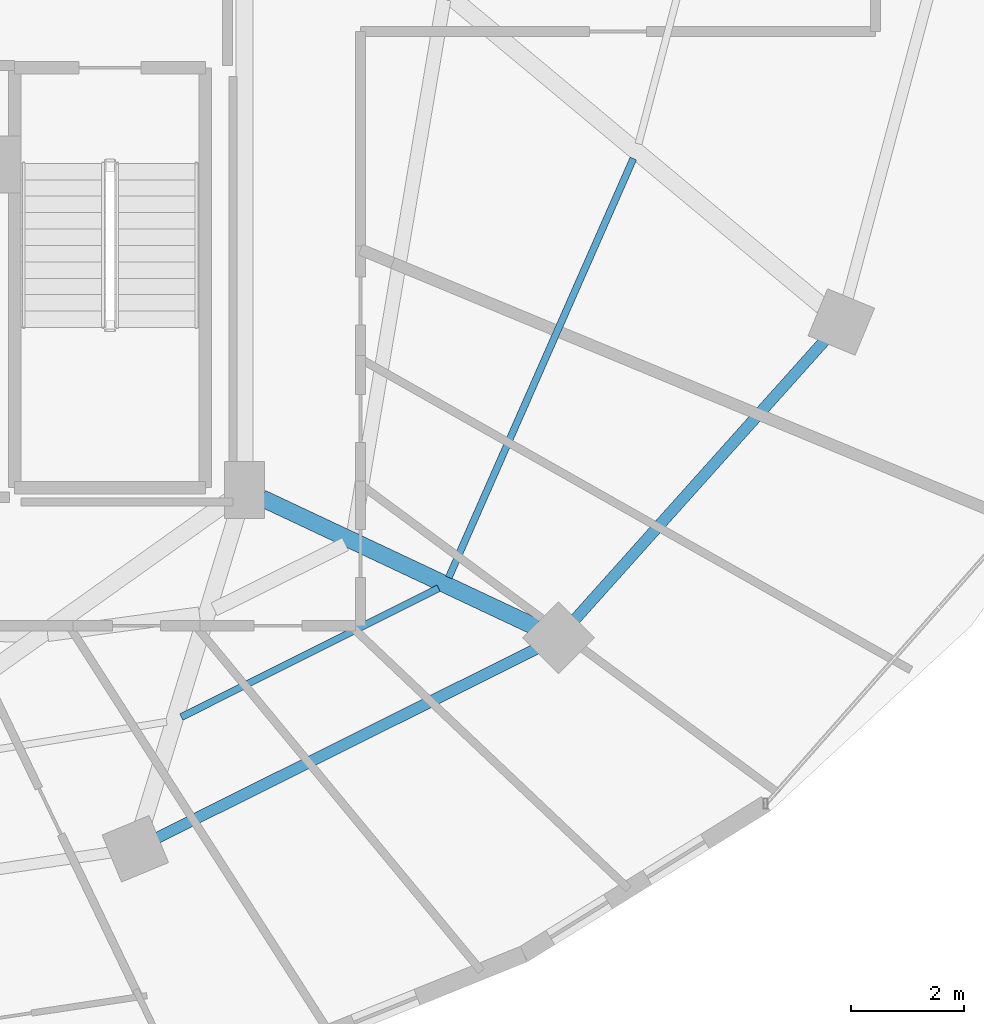
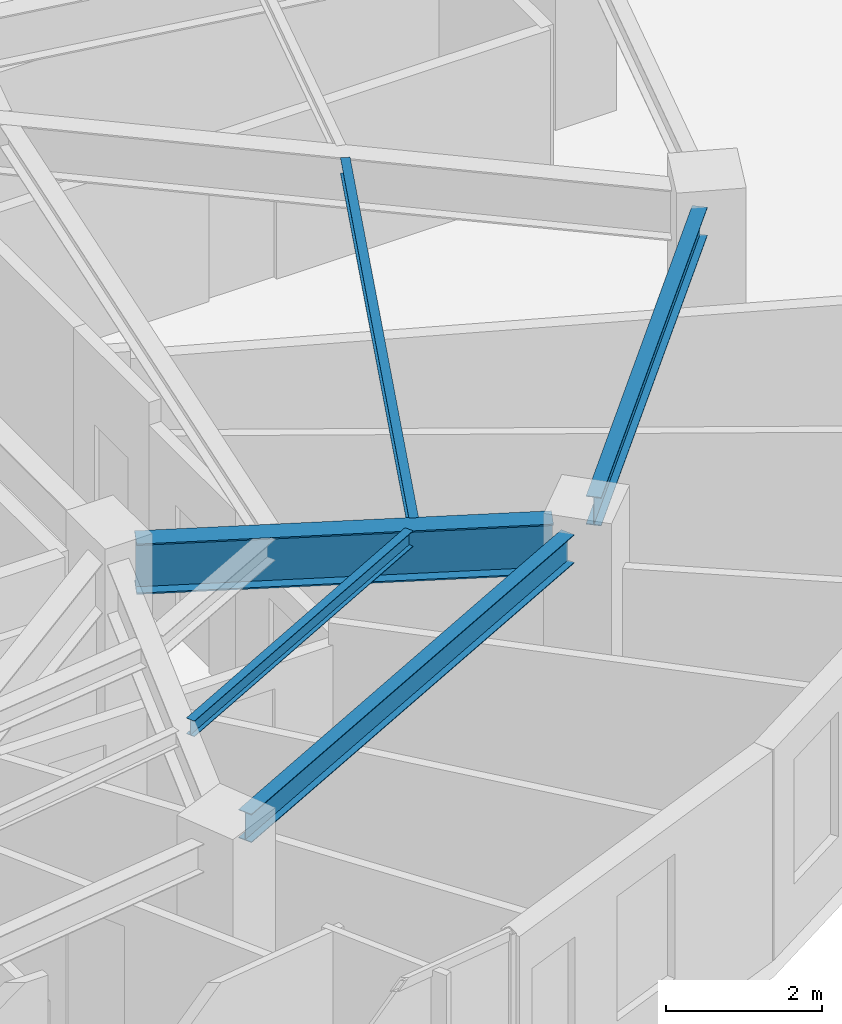
# One storey, part 12 of 33: 5 beams.
"""IFC4 building model written with IfcOpenShell, lengths in metres."""

from ifc_helpers import new_model, si_unit, direction, frame, origin, origin_2d, place, context, subcontext, project, spatial, i_section, extrude, material, material_profile, profile_set, type_object, element, save


model = new_model("IFC4")

# Units and contexts
model_context = context("Model", 3, precision=1e-05, world=origin(), true_north=direction((0.0, 1.0)))
body_context = subcontext(model_context, "Body", "Model", "MODEL_VIEW")
ifc_project = project(units=[si_unit("LENGTHUNIT", "METRE"), si_unit("AREAUNIT", "SQUARE_METRE"), si_unit("VOLUMEUNIT", "CUBIC_METRE"), si_unit("PLANEANGLEUNIT", "RADIAN"), si_unit("MASSUNIT", "GRAM", prefix="KILO")], contexts=[model_context])

# Site, building, storey
site_placement = place(None, origin())
site = spatial("IfcSite", under=ifc_project, at=site_placement, CompositionType="ELEMENT")
building_placement = place(site_placement, origin())
building = spatial("IfcBuilding", under=site, at=building_placement, Name="Vorneva Point Tower", CompositionType="ELEMENT")
storey_placement = place(building_placement, frame((0.0, 0.0, 200.10009765625)))
storey = spatial("IfcBuildingStorey", under=building, at=storey_placement, Name="L54", CompositionType="ELEMENT", Elevation=200.10009765625)

# Beams
ifc_material = material(Name="Steel S355", Category="steel")
ifc_material_profile_1 = material_profile(ifc_material, i_section(OverallWidth=0.300048828125, OverallDepth=0.7880859375, WebThickness=0.014404296875, FlangeThickness=0.02197265625, at=origin_2d()), Name="80Sh1")
ifc_profile_set_1 = profile_set([ifc_material_profile_1], Name="Steel S355")
beam_type_1 = type_object("IfcBeamType", Name="BM-GRD-80Sh1", PredefinedType="USERDEFINED", material=ifc_profile_set_1)
beam_1_placement = place(storey_placement, frame((53.902587890625, 14.0244140625, 2.89599609375), z_axis=(-0.904762899762, 0.42591559635, 0.0), x_axis=(-0.42591559635, -0.904762899762, 0.0)))
element("IfcBeam", 1, at=beam_1_placement, inside=storey, type_object=beam_type_1, Name="L54 Radial Primary Girder 15", ObjectType="GIRDER", PredefinedType="USERDEFINED", context=body_context, shape_type="SweptSolid", body=[
    extrude(i_section(OverallWidth=0.300048828125, OverallDepth=0.7880859375, WebThickness=0.014404296875, FlangeThickness=0.02197265625, at=origin_2d()), origin(), (0.0, 0.0, 1.0), 5.35498046875),
])
ifc_material_profile_2 = material_profile(ifc_material, i_section(OverallWidth=0.1240234375, OverallDepth=0.248046875, WebThickness=0.0048828125, FlangeThickness=0.008056640625, at=origin_2d()), Name="25B1")
ifc_profile_set_2 = profile_set([ifc_material_profile_2], Name="Steel S355")
beam_type_2 = type_object("IfcBeamType", Name="BM-JST-25B1", PredefinedType="JOIST", material=ifc_profile_set_2)
beam_2_placement = place(storey_placement, frame((47.633544921875, 12.43701171875, 3.166015625), z_axis=(0.894062048445, 0.447943136493, 0.0), x_axis=(-0.447943136493, 0.894062048445, 0.0)))
element("IfcBeam", 2, at=beam_2_placement, inside=storey, type_object=beam_type_2, Name="L54 Secondary Floor Beam 1.14", PredefinedType="JOIST", context=body_context, shape_type="SweptSolid", body=[
    extrude(i_section(OverallWidth=0.1240234375, OverallDepth=0.248046875, WebThickness=0.0048828125, FlangeThickness=0.008056640625, at=origin_2d()), origin(), (0.0, 0.0, 1.0), 5.085693359375),
])
beam_3_placement = place(storey_placement, frame((52.359375, 14.9033203125, 3.166015625), z_axis=(0.403173499612, 0.915123559532, 0.0), x_axis=(-0.915123559532, 0.403173499612, 0.0)))
element("IfcBeam", 3, at=beam_3_placement, inside=storey, type_object=beam_type_2, Name="L54 Secondary Floor Beam 1.15", PredefinedType="JOIST", context=body_context, shape_type="SweptSolid", body=[
    extrude(i_section(OverallWidth=0.1240234375, OverallDepth=0.248046875, WebThickness=0.0048828125, FlangeThickness=0.008056640625, at=origin_2d()), origin(), (0.0, 0.0, 1.0), 8.0888671875),
])
ifc_material_profile_3 = material_profile(ifc_material, i_section(OverallWidth=0.198974609375, OverallDepth=0.446044921875, WebThickness=0.008056640625, FlangeThickness=0.011962890625, at=origin_2d()), Name="45B1")
ifc_profile_set_3 = profile_set([ifc_material_profile_3], Name="Steel S355")
beam_type_3 = type_object("IfcBeamType", Name="BM-SPN-45B1", PredefinedType="SPANDREL", material=ifc_profile_set_3)
beam_4_placement = place(storey_placement, frame((47.210205078125, 10.303466796875, 3.06689453125), z_axis=(0.894922371084, 0.446221861559, 0.0), x_axis=(-0.446221861559, 0.894922371084, 0.0)))
element("IfcBeam", 4, at=beam_4_placement, inside=storey, type_object=beam_type_3, Name="L54 Perimeter Spandrel Ring Beam 14", PredefinedType="SPANDREL", context=body_context, shape_type="SweptSolid", body=[
    extrude(i_section(OverallWidth=0.198974609375, OverallDepth=0.446044921875, WebThickness=0.008056640625, FlangeThickness=0.011962890625, at=origin_2d()), origin(), (0.0, 0.0, 1.0), 7.48583984375),
])
beam_5_placement = place(storey_placement, frame((54.589111328125, 14.161865234375, 3.06689453125), z_axis=(0.66706970547, 0.744995307397, 0.0), x_axis=(-0.744995307397, 0.66706970547, 0.0)))
element("IfcBeam", 5, at=beam_5_placement, inside=storey, type_object=beam_type_3, Name="L54 Perimeter Spandrel Ring Beam 15", PredefinedType="SPANDREL", context=body_context, shape_type="SweptSolid", body=[
    extrude(i_section(OverallWidth=0.198974609375, OverallDepth=0.446044921875, WebThickness=0.008056640625, FlangeThickness=0.011962890625, at=origin_2d()), origin(), (0.0, 0.0, 1.0), 6.6201171875),
])

save(model, "model.ifc")
